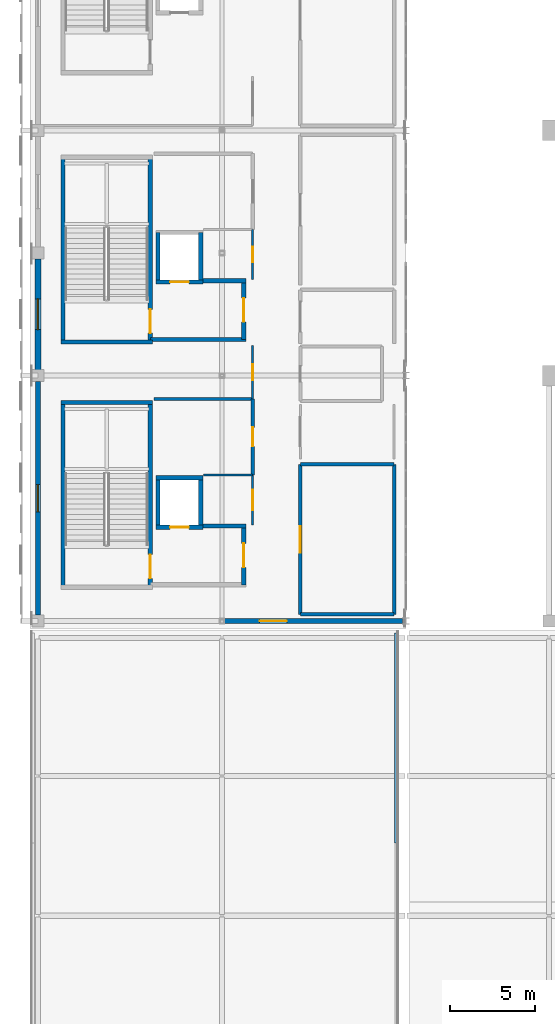
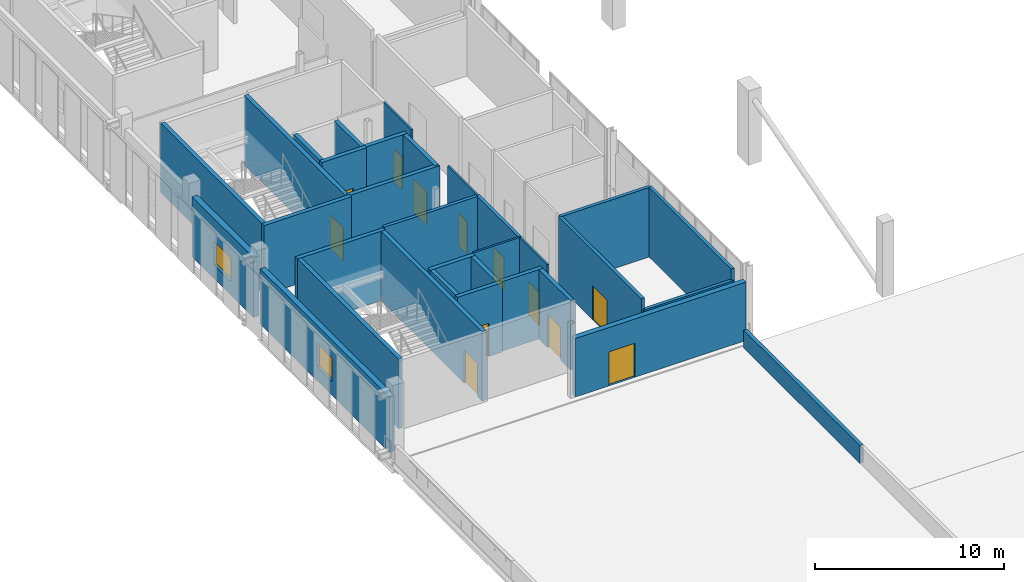
# One storey, part 31 of 51: 32 walls, 12 doors, 2 windows, 14 openings.
"""IFC4 building model written with IfcOpenShell, lengths in metres."""

from ifc_helpers import new_model, si_unit, direction, frame, frame_2d, origin, place, context, subcontext, project, spatial, rectangle, extrude, material, layer, layer_set, type_object, element, fill, save


model = new_model("IFC4")

# Units and contexts
model_context = context("Model", 3, precision=1e-05, world=origin(), true_north=direction((0.0, 1.0)))
body_context = subcontext(model_context, "Body", "Model", "MODEL_VIEW")
ifc_project = project(units=[si_unit("LENGTHUNIT", "METRE"), si_unit("AREAUNIT", "SQUARE_METRE"), si_unit("VOLUMEUNIT", "CUBIC_METRE"), si_unit("PLANEANGLEUNIT", "RADIAN"), si_unit("MASSUNIT", "GRAM", prefix="KILO")], contexts=[model_context])

# Site, building, storey
site_placement = place(None, origin())
site = spatial("IfcSite", under=ifc_project, at=site_placement, CompositionType="ELEMENT")
building_placement = place(site_placement, origin())
building = spatial("IfcBuilding", under=site, at=building_placement, Name="Koshinbarg Plaza Stadium", CompositionType="ELEMENT")
storey_placement = place(building_placement, frame((0.0, 0.0, 24.60009765625)))
storey = spatial("IfcBuildingStorey", under=building, at=storey_placement, Name="L05", CompositionType="ELEMENT", Elevation=24.60009765625)

# Walls
ifc_material_1 = material(Name="Concrete C40/50", Category="concrete")
ifc_layer_1 = layer(ifc_material_1, 0.25)
ifc_layer_set_1 = layer_set([ifc_layer_1], Name="Concrete C40/50")
wall_type_1 = type_object("IfcWallType", Name="WL-CORE-250", PredefinedType="SHEAR", material=ifc_layer_set_1)
wall_1_placement = place(storey_placement, frame((31.320068359375, 38.324951171875, 0.0), z_axis=(0.0, 0.0, 1.0), x_axis=(-1.0, 0.0, 0.0)))
element("IfcWall", 1, at=wall_1_placement, inside=storey, type_object=wall_type_1, Name="L05 core stair shear wall C01-far IWL-L05-0022", PredefinedType="SHEAR", context=body_context, shape_type="SweptSolid", body=[
    extrude(rectangle(XDim=5.3701171875, YDim=0.25, at=frame_2d((2.68505859375, 0.0))), origin(), (0.0, 0.0, 1.0), 4.5),
])
wall_2_placement = place(storey_placement, frame((26.074951171875, 27.47509765625, 0.0), z_axis=(0.0, 0.0, 1.0), x_axis=(0.0, 1.0, 0.0)))
element("IfcWall", 2, at=wall_2_placement, inside=storey, type_object=wall_type_1, Name="L05 core stair shear wall C01-left IWL-L05-0023", PredefinedType="SHEAR", context=body_context, shape_type="SweptSolid", body=[
    extrude(rectangle(XDim=10.849853515625, YDim=0.25, at=frame_2d((5.4248046875, 0.0))), origin(), (0.0, 0.0, 1.0), 4.5),
])

# Wall, opening, door
wall_3_placement = place(storey_placement, frame((31.195068359375, 27.47509765625, 0.0), z_axis=(0.0, 0.0, 1.0), x_axis=(0.0, 1.0, 0.0)))
wall_3 = element("IfcWall", 3, at=wall_3_placement, inside=storey, type_object=wall_type_1, Name="L05 core stair shear wall C01-right IWL-L05-0024", PredefinedType="SHEAR", context=body_context, shape_type="SweptSolid", body=[
    extrude(rectangle(XDim=10.849853515625, YDim=0.25, at=frame_2d((5.4248046875, 0.0))), origin(), (0.0, 0.0, 1.0), 4.5),
])
opening_1_placement = place(wall_3_placement, frame((0.52001953125, 0.0, 0.0)))
opening_1 = element("IfcOpeningElement", 4, at=opening_1_placement, cuts=wall_3, Name="Opening D-0066", PredefinedType="OPENING", context=body_context, shape_type="SweptSolid", body=[
    extrude(rectangle(XDim=1.39990234375, YDim=2.14990234375, at=frame_2d((0.699951171875, 1.074951171875))), frame((0.0, 0.135009765625, 0.0), z_axis=(0.0, -1.0, 0.0), x_axis=(1.0, 0.0, 0.0)), (0.0, 0.0, 1.0), 0.27001953125),
])
ifc_material_2 = material(Name="Painted galvanized steel fire door", Category="steel")
door_type_1 = type_object("IfcDoorType", Name="DR-STAIR-1400", OperationType="NOTDEFINED", PredefinedType="DOOR", material=ifc_material_2)
door_1_placement = place(opening_1_placement, origin())
door_1 = element("IfcDoor", 5, at=door_1_placement, inside=storey, type_object=door_type_1, Name="L05 exit stair door C01", OperationType="SINGLE_SWING_RIGHT", OverallHeight=2.14990234375, OverallWidth=1.39990234375, PredefinedType="DOOR", context=body_context, shape_type="SweptSolid", body=[
    extrude(rectangle(XDim=1.39990234375, YDim=2.14990234375, at=frame_2d((0.699951171875, 1.074951171875))), frame((0.0, 0.02490234375, 0.0), z_axis=(0.0, -1.0, 0.0), x_axis=(1.0, 0.0, 0.0)), (0.0, 0.0, 1.0), 0.050048828125),
])
fill(opening_1, door_1)

# Walls
wall_4_placement = place(storey_placement, frame((25.949951171875, 41.875, 0.0), z_axis=(0.0, 0.0, 1.0), x_axis=(1.0, 0.0, 0.0)))
element("IfcWall", 6, at=wall_4_placement, inside=storey, type_object=wall_type_1, Name="L05 core stair shear wall C02-near IWL-L05-0049", PredefinedType="SHEAR", context=body_context, shape_type="SweptSolid", body=[
    extrude(rectangle(XDim=5.3701171875, YDim=0.25, at=frame_2d((2.68505859375, 0.0))), origin(), (0.0, 0.0, 1.0), 4.5),
])
wall_5_placement = place(storey_placement, frame((26.074951171875, 41.875, 0.0), z_axis=(0.0, 0.0, 1.0), x_axis=(0.0, 1.0, 0.0)))
element("IfcWall", 7, at=wall_5_placement, inside=storey, type_object=wall_type_1, Name="L05 core stair shear wall C02-left IWL-L05-0051", PredefinedType="SHEAR", context=body_context, shape_type="SweptSolid", body=[
    extrude(rectangle(XDim=10.85009765625, YDim=0.25, at=frame_2d((5.425048828125, 0.0))), origin(), (0.0, 0.0, 1.0), 4.5),
])

# Wall, opening, door
wall_6_placement = place(storey_placement, frame((31.195068359375, 41.875, 0.0), z_axis=(0.0, 0.0, 1.0), x_axis=(0.0, 1.0, 0.0)))
wall_6 = element("IfcWall", 8, at=wall_6_placement, inside=storey, type_object=wall_type_1, Name="L05 core stair shear wall C02-right IWL-L05-0052", PredefinedType="SHEAR", context=body_context, shape_type="SweptSolid", body=[
    extrude(rectangle(XDim=10.85009765625, YDim=0.25, at=frame_2d((5.425048828125, 0.0))), origin(), (0.0, 0.0, 1.0), 4.5),
])
opening_2_placement = place(wall_6_placement, frame((0.52001953125, 0.0, 0.0)))
opening_2 = element("IfcOpeningElement", 9, at=opening_2_placement, cuts=wall_6, Name="Opening D-0073", PredefinedType="OPENING", context=body_context, shape_type="SweptSolid", body=[
    extrude(rectangle(XDim=1.39990234375, YDim=2.14990234375, at=frame_2d((0.699951171875, 1.074951171875))), frame((0.0, 0.135009765625, 0.0), z_axis=(0.0, -1.0, 0.0), x_axis=(1.0, 0.0, 0.0)), (0.0, 0.0, 1.0), 0.27001953125),
])
door_2_placement = place(opening_2_placement, origin())
door_2 = element("IfcDoor", 10, at=door_2_placement, inside=storey, type_object=door_type_1, Name="L05 exit stair door C02", OperationType="SINGLE_SWING_RIGHT", OverallHeight=2.14990234375, OverallWidth=1.39990234375, PredefinedType="DOOR", context=body_context, shape_type="SweptSolid", body=[
    extrude(rectangle(XDim=1.39990234375, YDim=2.14990234375, at=frame_2d((0.699951171875, 1.074951171875))), frame((0.0, 0.02490234375, 0.0), z_axis=(0.0, -1.0, 0.0), x_axis=(1.0, 0.0, 0.0)), (0.0, 0.0, 1.0), 0.050048828125),
])
fill(opening_2, door_2)

wall_7_placement = place(storey_placement, frame((31.52490234375, 31.0, 0.0), z_axis=(0.0, 0.0, 1.0), x_axis=(1.0, 0.0, 0.0)))
wall_7 = element("IfcWall", 11, at=wall_7_placement, inside=storey, type_object=wall_type_1, Name="L05 lift shaft shear wall FL01-S IWL-L05-0645", PredefinedType="SHEAR", context=body_context, shape_type="SweptSolid", body=[
    extrude(rectangle(XDim=2.75, YDim=0.25, at=frame_2d((1.375, 0.0))), origin(), (0.0, 0.0, 1.0), 4.5),
])
opening_3_placement = place(wall_7_placement, frame((0.824951171875, 0.0, 0.0)))
opening_3 = element("IfcOpeningElement", 12, at=opening_3_placement, cuts=wall_7, Name="Opening D-0225", PredefinedType="OPENING", context=body_context, shape_type="SweptSolid", body=[
    extrude(rectangle(XDim=1.10009765625, YDim=2.14990234375, at=frame_2d((0.550048828125, 1.074951171875))), frame((0.0, 0.135009765625, 0.0), z_axis=(0.0, -1.0, 0.0), x_axis=(1.0, 0.0, 0.0)), (0.0, 0.0, 1.0), 0.27001953125),
])
ifc_material_3 = material(Name="Brushed stainless steel sliding lift landing door", Category="steel")
door_type_2 = type_object("IfcDoorType", Name="DR-LIFT-1100", OperationType="NOTDEFINED", PredefinedType="DOOR", material=ifc_material_3)
door_3_placement = place(opening_3_placement, origin())
door_3 = element("IfcDoor", 13, at=door_3_placement, inside=storey, type_object=door_type_2, Name="L05 lift landing door FL01", OperationType="SLIDING_TO_RIGHT", OverallHeight=2.14990234375, OverallWidth=1.10009765625, PredefinedType="DOOR", context=body_context, shape_type="SweptSolid", body=[
    extrude(rectangle(XDim=1.10009765625, YDim=2.14990234375, at=frame_2d((0.550048828125, 1.074951171875))), frame((0.0, 0.02490234375, 0.0), z_axis=(0.0, -1.0, 0.0), x_axis=(1.0, 0.0, 0.0)), (0.0, 0.0, 1.0), 0.050048828125),
])
fill(opening_3, door_3)

# Walls
wall_8_placement = place(storey_placement, frame((34.27490234375, 33.89990234375, 0.0), z_axis=(0.0, 0.0, 1.0), x_axis=(-1.0, 0.0, 0.0)))
element("IfcWall", 14, at=wall_8_placement, inside=storey, type_object=wall_type_1, Name="L05 lift shaft shear wall FL01-N IWL-L05-0646", PredefinedType="SHEAR", context=body_context, shape_type="SweptSolid", body=[
    extrude(rectangle(XDim=2.75, YDim=0.25, at=frame_2d((1.375, 0.0))), origin(), (0.0, 0.0, 1.0), 4.5),
])
for number, where, z_axis, x_axis, name in (
    (15, (31.64990234375, 33.89990234375, 0.0), (0.0, 0.0, 1.0), (0.0, -1.0, 0.0), "L05 lift shaft shear wall FL01-W IWL-L05-0647"),
    (16, (34.14990234375, 31.0, 0.0), (0.0, 0.0, 1.0), (0.0, 1.0, 0.0), "L05 lift shaft shear wall FL01-E IWL-L05-0648"),
):
    element("IfcWall", number, at=place(storey_placement, frame(where, z_axis=z_axis, x_axis=x_axis)), inside=storey, type_object=wall_type_1, Name=name, PredefinedType="SHEAR", context=body_context, shape_type="SweptSolid", body=[
        extrude(rectangle(XDim=2.89990234375, YDim=0.25, at=frame_2d((1.449951171875, 0.0))), origin(), (0.0, 0.0, 1.0), 4.5),
    ])

# Wall, opening, door
wall_9_placement = place(storey_placement, frame((36.675048828125, 27.625, 0.0), z_axis=(0.0, 0.0, 1.0), x_axis=(0.0, 1.0, 0.0)))
wall_9 = element("IfcWall", 17, at=wall_9_placement, inside=storey, type_object=wall_type_1, Name="L05 firefighting lobby wall C01-E IWL-L05-0649", PredefinedType="SHEAR", context=body_context, shape_type="SweptSolid", body=[
    extrude(rectangle(XDim=3.449951171875, YDim=0.25, at=frame_2d((1.72509765625, 0.0))), origin(), (0.0, 0.0, 1.0), 4.5),
])
opening_4_placement = place(wall_9_placement, frame((1.02490234375, 0.0, 0.0)))
opening_4 = element("IfcOpeningElement", 18, at=opening_4_placement, cuts=wall_9, Name="Opening D-0226", PredefinedType="OPENING", context=body_context, shape_type="SweptSolid", body=[
    extrude(rectangle(XDim=1.39990234375, YDim=2.14990234375, at=frame_2d((0.699951171875, 1.074951171875))), frame((0.0, 0.135009765625, 0.0), z_axis=(0.0, -1.0, 0.0), x_axis=(1.0, 0.0, 0.0)), (0.0, 0.0, 1.0), 0.27001953125),
])
ifc_material_4 = material(Name="Smoke-sealed steel firefighting lobby door", Category="steel")
door_type_3 = type_object("IfcDoorType", Name="DR-FFLOB-1400", OperationType="NOTDEFINED", PredefinedType="DOOR", material=ifc_material_4)
door_4_placement = place(opening_4_placement, origin())
door_4 = element("IfcDoor", 19, at=door_4_placement, inside=storey, type_object=door_type_3, Name="L05 firefighting lobby fire door C01", OperationType="DOUBLE_DOOR_SINGLE_SWING", OverallHeight=2.14990234375, OverallWidth=1.39990234375, PredefinedType="DOOR", context=body_context, shape_type="SweptSolid", body=[
    extrude(rectangle(XDim=1.39990234375, YDim=2.14990234375, at=frame_2d((0.699951171875, 1.074951171875))), frame((0.0, 0.02490234375, 0.0), z_axis=(0.0, -1.0, 0.0), x_axis=(1.0, 0.0, 0.0)), (0.0, 0.0, 1.0), 0.050048828125),
])
fill(opening_4, door_4)

# Wall
wall_10_placement = place(storey_placement, frame((34.27490234375, 31.074951171875, 0.0), z_axis=(0.0, 0.0, 1.0), x_axis=(1.0, 0.0, 0.0)))
element("IfcWall", 20, at=wall_10_placement, inside=storey, type_object=wall_type_1, Name="L05 firefighting lobby wall C01-NE IWL-L05-0650", PredefinedType="SHEAR", context=body_context, shape_type="SweptSolid", body=[
    extrude(rectangle(XDim=2.525146484375, YDim=0.25, at=frame_2d((1.2626953125, 0.0))), origin(), (0.0, 0.0, 1.0), 4.5),
])

# Wall, opening, door
wall_11_placement = place(storey_placement, frame((31.52490234375, 45.39990234375, 0.0), z_axis=(0.0, 0.0, 1.0), x_axis=(1.0, 0.0, 0.0)))
wall_11 = element("IfcWall", 21, at=wall_11_placement, inside=storey, type_object=wall_type_1, Name="L05 lift shaft shear wall FL02-S IWL-L05-0694", PredefinedType="SHEAR", context=body_context, shape_type="SweptSolid", body=[
    extrude(rectangle(XDim=2.75, YDim=0.25, at=frame_2d((1.375, 0.0))), origin(), (0.0, 0.0, 1.0), 4.5),
])
opening_5_placement = place(wall_11_placement, frame((0.824951171875, 0.0, 0.0)))
opening_5 = element("IfcOpeningElement", 22, at=opening_5_placement, cuts=wall_11, Name="Opening D-0239", PredefinedType="OPENING", context=body_context, shape_type="SweptSolid", body=[
    extrude(rectangle(XDim=1.10009765625, YDim=2.14990234375, at=frame_2d((0.550048828125, 1.074951171875))), frame((0.0, 0.135009765625, 0.0), z_axis=(0.0, -1.0, 0.0), x_axis=(1.0, 0.0, 0.0)), (0.0, 0.0, 1.0), 0.27001953125),
])
door_5_placement = place(opening_5_placement, origin())
door_5 = element("IfcDoor", 23, at=door_5_placement, inside=storey, type_object=door_type_2, Name="L05 lift landing door FL02", OperationType="SLIDING_TO_LEFT", OverallHeight=2.14990234375, OverallWidth=1.10009765625, PredefinedType="DOOR", context=body_context, shape_type="SweptSolid", body=[
    extrude(rectangle(XDim=1.10009765625, YDim=2.14990234375, at=frame_2d((0.550048828125, 1.074951171875))), frame((0.0, 0.02490234375, 0.0), z_axis=(0.0, -1.0, 0.0), x_axis=(1.0, 0.0, 0.0)), (0.0, 0.0, 1.0), 0.050048828125),
])
fill(opening_5, door_5)

# Walls
for number, where, z_axis, x_axis, name in (
    (24, (31.64990234375, 48.300048828125, 0.0), (0.0, 0.0, 1.0), (0.0, -1.0, 0.0), "L05 lift shaft shear wall FL02-W IWL-L05-0696"),
    (25, (34.14990234375, 45.39990234375, 0.0), (0.0, 0.0, 1.0), (0.0, 1.0, 0.0), "L05 lift shaft shear wall FL02-E IWL-L05-0697"),
):
    element("IfcWall", number, at=place(storey_placement, frame(where, z_axis=z_axis, x_axis=x_axis)), inside=storey, type_object=wall_type_1, Name=name, PredefinedType="SHEAR", context=body_context, shape_type="SweptSolid", body=[
        extrude(rectangle(XDim=2.900146484375, YDim=0.25, at=frame_2d((1.4501953125, 0.0))), origin(), (0.0, 0.0, 1.0), 4.5),
    ])

# Wall, opening, door
wall_12_placement = place(storey_placement, frame((36.675048828125, 42.02490234375, 0.0), z_axis=(0.0, 0.0, 1.0), x_axis=(0.0, 1.0, 0.0)))
wall_12 = element("IfcWall", 26, at=wall_12_placement, inside=storey, type_object=wall_type_1, Name="L05 firefighting lobby wall C02-E IWL-L05-0698", PredefinedType="SHEAR", context=body_context, shape_type="SweptSolid", body=[
    extrude(rectangle(XDim=3.4501953125, YDim=0.25, at=frame_2d((1.72509765625, 0.0))), origin(), (0.0, 0.0, 1.0), 4.5),
])
opening_6_placement = place(wall_12_placement, frame((1.02490234375, 0.0, 0.0)))
opening_6 = element("IfcOpeningElement", 27, at=opening_6_placement, cuts=wall_12, Name="Opening D-0240", PredefinedType="OPENING", context=body_context, shape_type="SweptSolid", body=[
    extrude(rectangle(XDim=1.39990234375, YDim=2.14990234375, at=frame_2d((0.699951171875, 1.074951171875))), frame((0.0, 0.135009765625, 0.0), z_axis=(0.0, -1.0, 0.0), x_axis=(1.0, 0.0, 0.0)), (0.0, 0.0, 1.0), 0.27001953125),
])
door_6_placement = place(opening_6_placement, origin())
door_6 = element("IfcDoor", 28, at=door_6_placement, inside=storey, type_object=door_type_3, Name="L05 firefighting lobby fire door C02", OperationType="DOUBLE_DOOR_SINGLE_SWING", OverallHeight=2.14990234375, OverallWidth=1.39990234375, PredefinedType="DOOR", context=body_context, shape_type="SweptSolid", body=[
    extrude(rectangle(XDim=1.39990234375, YDim=2.14990234375, at=frame_2d((0.699951171875, 1.074951171875))), frame((0.0, 0.02490234375, 0.0), z_axis=(0.0, -1.0, 0.0), x_axis=(1.0, 0.0, 0.0)), (0.0, 0.0, 1.0), 0.050048828125),
])
fill(opening_6, door_6)

# Walls
wall_13_placement = place(storey_placement, frame((34.27490234375, 45.47509765625, 0.0), z_axis=(0.0, 0.0, 1.0), x_axis=(1.0, 0.0, 0.0)))
element("IfcWall", 29, at=wall_13_placement, inside=storey, type_object=wall_type_1, Name="L05 firefighting lobby wall C02-NE IWL-L05-0699", PredefinedType="SHEAR", context=body_context, shape_type="SweptSolid", body=[
    extrude(rectangle(XDim=2.525146484375, YDim=0.25, at=frame_2d((1.2626953125, 0.0))), origin(), (0.0, 0.0, 1.0), 4.5),
])
wall_14_placement = place(storey_placement, frame((31.199951171875, 42.02490234375, 0.0), z_axis=(0.0, 0.0, 1.0), x_axis=(1.0, 0.0, 0.0)))
element("IfcWall", 30, at=wall_14_placement, inside=storey, type_object=wall_type_1, Name="L05 firefighting lobby wall C02-S IWL-L05-0700", PredefinedType="SHEAR", context=body_context, shape_type="SweptSolid", body=[
    extrude(rectangle(XDim=5.60009765625, YDim=0.25, at=frame_2d((2.800048828125, 0.0))), origin(), (0.0, 0.0, 1.0), 4.5),
])

# Wall, opening, window
ifc_material_5 = material(Name="Ultramarine-blue pigmented mineral plaster facade wall", Category="masonry")
ifc_layer_2 = layer(ifc_material_5, 0.320068359375)
ifc_layer_set_2 = layer_set([ifc_layer_2], Name="Ultramarine-blue pigmented mineral plaster facade wall")
wall_type_2 = type_object("IfcWallType", Name="WL-EXT-320", PredefinedType="SOLIDWALL", material=ifc_layer_set_2)
wall_15_placement = place(storey_placement, frame((24.60009765625, 25.844970703125, 0.0), z_axis=(0.0, 0.0, 1.0), x_axis=(0.0, 1.0, 0.0)))
wall_15 = element("IfcWall", 31, at=wall_15_placement, inside=storey, type_object=wall_type_2, Name="L05 exterior envelope wall EWL-L05-0222", PredefinedType="SOLIDWALL", context=body_context, shape_type="SweptSolid", body=[
    extrude(rectangle(XDim=13.7099609375, YDim=0.320068359375, at=frame_2d((6.85498046875, 0.0))), origin(), (0.0, 0.0, 1.0), 3.579833984375),
])
opening_7_placement = place(wall_15_placement, frame((6.054931640625, 0.0, 0.89990234375)))
opening_7 = element("IfcOpeningElement", 32, at=opening_7_placement, cuts=wall_15, Name="Opening WN03", PredefinedType="OPENING", context=body_context, shape_type="SweptSolid", body=[
    extrude(rectangle(XDim=1.60009765625, YDim=1.5, at=frame_2d((0.800048828125, 0.75))), frame((0.0, 0.169921875, 0.0), z_axis=(0.0, -1.0, 0.0), x_axis=(1.0, 0.0, 0.0)), (0.0, 0.0, 1.0), 0.340087890625),
])
ifc_material_6 = material(Name="Solar-control double glazing in thermally broken aluminium frame", Category="aluminium")
window_type_1 = type_object("IfcWindowType", Name="WN-FAC-03", PartitioningType="DOUBLE_PANEL_VERTICAL", PredefinedType="WINDOW", material=ifc_material_6)
window_1_placement = place(opening_7_placement, origin())
window_1 = element("IfcWindow", 33, at=window_1_placement, inside=storey, type_object=window_type_1, Name="L05 facade window 0154", OverallHeight=1.5, OverallWidth=1.60009765625, PartitioningType="SINGLE_PANEL", PredefinedType="WINDOW", context=body_context, shape_type="SweptSolid", body=[
    extrude(rectangle(XDim=1.60009765625, YDim=1.5, at=frame_2d((0.800048828125, 0.75))), frame((0.0, 0.030029296875, 0.0), z_axis=(0.0, -1.0, 0.0), x_axis=(1.0, 0.0, 0.0)), (0.0, 0.0, 1.0), 0.06005859375),
])
fill(opening_7, window_1)

# Wall, opening, door
wall_16_placement = place(storey_placement, frame((46.007568359375, 25.5, 0.0), z_axis=(0.0, 0.0, 1.0), x_axis=(-1.0, 0.0, 0.0)))
wall_16 = element("IfcWall", 34, at=wall_16_placement, inside=storey, type_object=wall_type_2, Name="L05 exterior envelope wall EWL-L05-0246", PredefinedType="SOLIDWALL", context=body_context, shape_type="SweptSolid", body=[
    extrude(rectangle(XDim=10.462646484375, YDim=0.320068359375, at=frame_2d((5.2314453125, 0.0))), origin(), (0.0, 0.0, 1.0), 3.77978515625),
])
opening_8_placement = place(wall_16_placement, frame((6.800048828125, 0.0, 0.0)))
opening_8 = element("IfcOpeningElement", 35, at=opening_8_placement, cuts=wall_16, Name="Opening D-0059", PredefinedType="OPENING", context=body_context, shape_type="SweptSolid", body=[
    extrude(rectangle(XDim=1.60009765625, YDim=2.199951171875, at=frame_2d((0.800048828125, 1.10009765625))), frame((0.0, 0.169921875, 0.0), z_axis=(0.0, -1.0, 0.0), x_axis=(1.0, 0.0, 0.0)), (0.0, 0.0, 1.0), 0.340087890625),
])
ifc_material_7 = material(Name="Glazed aluminium terrace access door", Category="aluminium")
door_type_4 = type_object("IfcDoorType", Name="DR-TERR-1600", OperationType="NOTDEFINED", PredefinedType="DOOR", material=ifc_material_7)
door_7_placement = place(opening_8_placement, origin())
door_7 = element("IfcDoor", 36, at=door_7_placement, inside=storey, type_object=door_type_4, Name="L05 South planted roof garden terrace door", OperationType="DOUBLE_DOOR_SINGLE_SWING", OverallHeight=2.199951171875, OverallWidth=1.60009765625, PredefinedType="DOOR", context=body_context, shape_type="SweptSolid", body=[
    extrude(rectangle(XDim=1.60009765625, YDim=2.199951171875, at=frame_2d((0.800048828125, 1.10009765625))), frame((0.0, 0.02490234375, 0.0), z_axis=(0.0, -1.0, 0.0), x_axis=(1.0, 0.0, 0.0)), (0.0, 0.0, 1.0), 0.050048828125),
])
fill(opening_8, door_7)

# Wall, opening, window
ifc_material_8 = material(Name="Acoustic insulated masonry stadium wall", Category="masonry")
ifc_layer_3 = layer(ifc_material_8, 0.35009765625)
ifc_layer_set_3 = layer_set([ifc_layer_3], Name="Acoustic insulated masonry stadium wall")
wall_type_3 = type_object("IfcWallType", Name="WL-EXT-350", PredefinedType="SOLIDWALL", material=ifc_layer_set_3)
wall_17_placement = place(storey_placement, frame((24.60009765625, 40.2451171875, 0.0), z_axis=(0.0, 0.0, 1.0), x_axis=(0.0, 1.0, 0.0)))
wall_17 = element("IfcWall", 37, at=wall_17_placement, inside=storey, type_object=wall_type_3, Name="L05 exterior envelope wall EWL-L05-0223", PredefinedType="SOLIDWALL", context=body_context, shape_type="SweptSolid", body=[
    extrude(rectangle(XDim=6.509765625, YDim=0.35009765625, at=frame_2d((3.2548828125, 0.0))), origin(), (0.0, 0.0, 1.0), 3.8798828125),
])
opening_9_placement = place(wall_17_placement, frame((2.35498046875, 0.0, 0.89990234375)))
opening_9 = element("IfcOpeningElement", 38, at=opening_9_placement, cuts=wall_17, Name="Opening WN04", PredefinedType="OPENING", context=body_context, shape_type="SweptSolid", body=[
    extrude(rectangle(XDim=1.800048828125, YDim=1.5, at=frame_2d((0.89990234375, 0.75))), frame((0.0, 0.18505859375, 0.0), z_axis=(0.0, -1.0, 0.0), x_axis=(1.0, 0.0, 0.0)), (0.0, 0.0, 1.0), 0.3701171875),
])
window_type_2 = type_object("IfcWindowType", Name="WN-FAC-04", PartitioningType="DOUBLE_PANEL_VERTICAL", PredefinedType="WINDOW", material=ifc_material_6)
window_2_placement = place(opening_9_placement, origin())
window_2 = element("IfcWindow", 39, at=window_2_placement, inside=storey, type_object=window_type_2, Name="L05 facade window 0155", OverallHeight=1.5, OverallWidth=1.800048828125, PartitioningType="SINGLE_PANEL", PredefinedType="WINDOW", context=body_context, shape_type="SweptSolid", body=[
    extrude(rectangle(XDim=1.800048828125, YDim=1.5, at=frame_2d((0.89990234375, 0.75))), frame((0.0, 0.030029296875, 0.0), z_axis=(0.0, -1.0, 0.0), x_axis=(1.0, 0.0, 0.0)), (0.0, 0.0, 1.0), 0.06005859375),
])
fill(opening_9, window_2)

# Wall
ifc_material_9 = material(Name="Precast concrete C40/50", Category="concrete")
ifc_layer_4 = layer(ifc_material_9, 0.219970703125)
ifc_layer_set_4 = layer_set([ifc_layer_4], Name="Precast concrete C40/50")
wall_type_4 = type_object("IfcWallType", Name="WL-PAR-220", PredefinedType="PARAPET", material=ifc_layer_set_4)
wall_18_placement = place(storey_placement, frame((45.64990234375, 12.4775390625, 0.0), z_axis=(0.0, 0.0, 1.0), x_axis=(0.0, 1.0, 0.0)))
element("IfcWall", 40, at=wall_18_placement, inside=storey, type_object=wall_type_4, Name="L05 roof garden parapet 029", PredefinedType="PARAPET", context=body_context, shape_type="SweptSolid", body=[
    extrude(rectangle(XDim=12.327392578125, YDim=0.219970703125, at=frame_2d((6.16357421875, 0.0))), origin(), (0.0, 0.0, 1.0), 1.14990234375),
])

# Wall, opening, door
ifc_material_10 = material(Name="Gypsum board metal-stud acoustic partition")
ifc_layer_5 = layer(ifc_material_10, 0.1201171875)
ifc_layer_set_5 = layer_set([ifc_layer_5], Name="Gypsum board metal-stud acoustic partition")
wall_type_5 = type_object("IfcWallType", Name="WL-PART-120", PredefinedType="PARTITIONING", material=ifc_layer_set_5)
wall_19_placement = place(storey_placement, frame((37.199951171875, 38.530029296875, 0.0), z_axis=(0.0, 0.0, 1.0), x_axis=(0.0, 1.0, 0.0)))
wall_19 = element("IfcWall", 41, at=wall_19_placement, inside=storey, type_object=wall_type_5, Name="L05 interior partition L05-32-east IWL-L05-2258", PredefinedType="PARTITIONING", context=body_context, shape_type="SweptSolid", body=[
    extrude(rectangle(XDim=3.139892578125, YDim=0.1201171875, at=frame_2d((1.56982421875, 0.0))), origin(), (0.0, 0.0, 1.0), 4.5),
])
opening_10_placement = place(wall_19_placement, frame((1.110107421875, 0.0, 0.0)))
opening_10 = element("IfcOpeningElement", 42, at=opening_10_placement, cuts=wall_19, Name="Opening D-0779", PredefinedType="OPENING", context=body_context, shape_type="SweptSolid", body=[
    extrude(rectangle(XDim=0.919921875, YDim=2.10009765625, at=frame_2d((0.4599609375, 1.050048828125))), frame((0.0, 0.070068359375, 0.0), z_axis=(0.0, -1.0, 0.0), x_axis=(1.0, 0.0, 0.0)), (0.0, 0.0, 1.0), 0.14013671875),
])
ifc_material_11 = material(Name="Solid-core oak veneer acoustic door")
door_type_5 = type_object("IfcDoorType", Name="DR-INT-0920x2100", OperationType="NOTDEFINED", PredefinedType="DOOR", material=ifc_material_11)
door_8_placement = place(opening_10_placement, origin())
door_8 = element("IfcDoor", 43, at=door_8_placement, inside=storey, type_object=door_type_5, Name="L05 Belvedere Dining Hall door D-0779", OperationType="SINGLE_SWING_LEFT", OverallHeight=2.10009765625, OverallWidth=0.919921875, PredefinedType="DOOR", context=body_context, shape_type="SweptSolid", body=[
    extrude(rectangle(XDim=0.919921875, YDim=2.10009765625, at=frame_2d((0.4599609375, 1.050048828125))), frame((0.0, 0.02490234375, 0.0), z_axis=(0.0, -1.0, 0.0), x_axis=(1.0, 0.0, 0.0)), (0.0, 0.0, 1.0), 0.050048828125),
])
fill(opening_10, door_8)

wall_20_placement = place(storey_placement, frame((37.199951171875, 31.1298828125, 0.0), z_axis=(0.0, 0.0, 1.0), x_axis=(0.0, 1.0, 0.0)))
wall_20 = element("IfcWall", 44, at=wall_20_placement, inside=storey, type_object=wall_type_5, Name="L05 interior partition L05-34-east IWL-L05-2261", PredefinedType="PARTITIONING", context=body_context, shape_type="SweptSolid", body=[
    extrude(rectangle(XDim=2.9501953125, YDim=0.1201171875, at=frame_2d((1.47509765625, 0.0))), origin(), (0.0, 0.0, 1.0), 4.5),
])
opening_11_placement = place(wall_20_placement, frame((0.875, 0.0, 0.0)))
opening_11 = element("IfcOpeningElement", 45, at=opening_11_placement, cuts=wall_20, Name="Opening D-0781", PredefinedType="OPENING", context=body_context, shape_type="SweptSolid", body=[
    extrude(rectangle(XDim=1.199951171875, YDim=2.14990234375, at=frame_2d((0.60009765625, 1.074951171875))), frame((0.0, 0.070068359375, 0.0), z_axis=(0.0, -1.0, 0.0), x_axis=(1.0, 0.0, 0.0)), (0.0, 0.0, 1.0), 0.14013671875),
])
ifc_material_12 = material(Name="Solid-core hardwood leaf in painted steel frame", Category="steel")
door_type_6 = type_object("IfcDoorType", Name="DR-INT-1200x2150", OperationType="NOTDEFINED", PredefinedType="DOOR", material=ifc_material_12)
door_9_placement = place(opening_11_placement, origin())
door_9 = element("IfcDoor", 46, at=door_9_placement, inside=storey, type_object=door_type_6, Name="L05 Sports Science Salon door D-0781", OperationType="SINGLE_SWING_LEFT", OverallHeight=2.14990234375, OverallWidth=1.199951171875, PredefinedType="DOOR", context=body_context, shape_type="SweptSolid", body=[
    extrude(rectangle(XDim=1.199951171875, YDim=2.14990234375, at=frame_2d((0.60009765625, 1.074951171875))), frame((0.0, 0.02490234375, 0.0), z_axis=(0.0, -1.0, 0.0), x_axis=(1.0, 0.0, 0.0)), (0.0, 0.0, 1.0), 0.050048828125),
])
fill(opening_11, door_9)

# Wall
wall_21_placement = place(storey_placement, frame((37.199951171875, 34.080078125, 0.0), z_axis=(0.0, 0.0, 1.0), x_axis=(-1.0, 0.0, 0.0)))
element("IfcWall", 47, at=wall_21_placement, inside=storey, type_object=wall_type_5, Name="L05 interior partition L05-34-north IWL-L05-2262", PredefinedType="PARTITIONING", context=body_context, shape_type="SweptSolid", body=[
    extrude(rectangle(XDim=2.869873046875, YDim=0.1201171875, at=frame_2d((1.43505859375, 0.0))), origin(), (0.0, 0.0, 1.0), 4.5),
])

# Wall, opening, door
wall_22_placement = place(storey_placement, frame((37.199951171875, 45.530029296875, 0.0), z_axis=(0.0, 0.0, 1.0), x_axis=(0.0, 1.0, 0.0)))
wall_22 = element("IfcWall", 48, at=wall_22_placement, inside=storey, type_object=wall_type_5, Name="L05 interior partition L05-36-east IWL-L05-2265", PredefinedType="PARTITIONING", context=body_context, shape_type="SweptSolid", body=[
    extrude(rectangle(XDim=2.949951171875, YDim=0.1201171875, at=frame_2d((1.47509765625, 0.0))), origin(), (0.0, 0.0, 1.0), 4.5),
])
opening_12_placement = place(wall_22_placement, frame((1.014892578125, 0.0, 0.0)))
opening_12 = element("IfcOpeningElement", 49, at=opening_12_placement, cuts=wall_22, Name="Opening D-0783", PredefinedType="OPENING", context=body_context, shape_type="SweptSolid", body=[
    extrude(rectangle(XDim=0.919921875, YDim=2.10009765625, at=frame_2d((0.4599609375, 1.050048828125))), frame((0.0, 0.070068359375, 0.0), z_axis=(0.0, -1.0, 0.0), x_axis=(1.0, 0.0, 0.0)), (0.0, 0.0, 1.0), 0.14013671875),
])
door_10_placement = place(opening_12_placement, origin())
door_10 = element("IfcDoor", 50, at=door_10_placement, inside=storey, type_object=door_type_5, Name="L05 Sports Science Salon door D-0783", OperationType="SINGLE_SWING_LEFT", OverallHeight=2.10009765625, OverallWidth=0.919921875, PredefinedType="DOOR", context=body_context, shape_type="SweptSolid", body=[
    extrude(rectangle(XDim=0.919921875, YDim=2.10009765625, at=frame_2d((0.4599609375, 1.050048828125))), frame((0.0, 0.02490234375, 0.0), z_axis=(0.0, -1.0, 0.0), x_axis=(1.0, 0.0, 0.0)), (0.0, 0.0, 1.0), 0.050048828125),
])
fill(opening_12, door_10)

ifc_material_13 = material(Name="Autoclaved aerated blockwork fire partition", Category="masonry")
ifc_layer_6 = layer(ifc_material_13, 0.199951171875)
ifc_layer_set_6 = layer_set([ifc_layer_6], Name="Autoclaved aerated blockwork fire partition")
wall_type_6 = type_object("IfcWallType", Name="WL-PART-200", PredefinedType="PARTITIONING", material=ifc_layer_set_6)
wall_23_placement = place(storey_placement, frame((37.199951171875, 34.080078125, 0.0), z_axis=(0.0, 0.0, 1.0), x_axis=(0.0, 1.0, 0.0)))
wall_23 = element("IfcWall", 51, at=wall_23_placement, inside=storey, type_object=wall_type_6, Name="L05 interior partition L05-33-east IWL-L05-2259", PredefinedType="PARTITIONING", context=body_context, shape_type="SweptSolid", body=[
    extrude(rectangle(XDim=4.449951171875, YDim=0.199951171875, at=frame_2d((2.22509765625, 0.0))), origin(), (0.0, 0.0, 1.0), 4.5),
])
opening_13_placement = place(wall_23_placement, frame((1.6650390625, 0.0, 0.0)))
opening_13 = element("IfcOpeningElement", 52, at=opening_13_placement, cuts=wall_23, Name="Opening D-0780", PredefinedType="OPENING", context=body_context, shape_type="SweptSolid", body=[
    extrude(rectangle(XDim=1.1201171875, YDim=2.14990234375, at=frame_2d((0.56005859375, 1.074951171875))), frame((0.0, 0.10986328125, 0.0), z_axis=(0.0, -1.0, 0.0), x_axis=(1.0, 0.0, 0.0)), (0.0, 0.0, 1.0), 0.219970703125),
])
ifc_material_14 = material(Name="Acoustic timber broadcast studio door", Category="wood")
door_type_7 = type_object("IfcDoorType", Name="DR-INT-1120x2150", OperationType="NOTDEFINED", PredefinedType="DOOR", material=ifc_material_14)
door_11_placement = place(opening_13_placement, origin())
door_11 = element("IfcDoor", 53, at=door_11_placement, inside=storey, type_object=door_type_7, Name="L05 Stadium Operations Control door D-0780", OperationType="SINGLE_SWING_RIGHT", OverallHeight=2.14990234375, OverallWidth=1.1201171875, PredefinedType="DOOR", context=body_context, shape_type="SweptSolid", body=[
    extrude(rectangle(XDim=1.1201171875, YDim=2.14990234375, at=frame_2d((0.56005859375, 1.074951171875))), frame((0.0, 0.02490234375, 0.0), z_axis=(0.0, -1.0, 0.0), x_axis=(1.0, 0.0, 0.0)), (0.0, 0.0, 1.0), 0.050048828125),
])
fill(opening_13, door_11)

# Walls
wall_24_placement = place(storey_placement, frame((37.199951171875, 38.530029296875, 0.0), z_axis=(0.0, 0.0, 1.0), x_axis=(-1.0, 0.0, 0.0)))
element("IfcWall", 54, at=wall_24_placement, inside=storey, type_object=wall_type_6, Name="L05 interior partition L05-33-north IWL-L05-2260", PredefinedType="PARTITIONING", context=body_context, shape_type="SweptSolid", body=[
    extrude(rectangle(XDim=5.800048828125, YDim=0.199951171875, at=frame_2d((2.89990234375, 0.0))), origin(), (0.0, 0.0, 1.0), 4.5),
])
wall_25_placement = place(storey_placement, frame((40.0, 25.89501953125, 0.0), z_axis=(0.0, 0.0, 1.0), x_axis=(1.0, 0.0, 0.0)))
element("IfcWall", 55, at=wall_25_placement, inside=storey, type_object=wall_type_6, Name="L05 interior partition L05-37-south IWL-L05-2267", PredefinedType="PARTITIONING", context=body_context, shape_type="SweptSolid", body=[
    extrude(rectangle(XDim=5.5, YDim=0.199951171875, at=frame_2d((2.75, 0.0))), origin(), (0.0, 0.0, 1.0), 3.77978515625),
])
wall_26_placement = place(storey_placement, frame((45.5, 25.89501953125, 0.0), z_axis=(0.0, 0.0, 1.0), x_axis=(0.0, 1.0, 0.0)))
element("IfcWall", 56, at=wall_26_placement, inside=storey, type_object=wall_type_6, Name="L05 interior partition L05-37-east IWL-L05-2268", PredefinedType="PARTITIONING", context=body_context, shape_type="SweptSolid", body=[
    extrude(rectangle(XDim=8.799072265625, YDim=0.199951171875, at=frame_2d((4.3994140625, 0.0))), origin(), (0.0, 0.0, 1.0), 4.5),
])
wall_27_placement = place(storey_placement, frame((45.5, 34.694091796875, 0.0), z_axis=(0.0, 0.0, 1.0), x_axis=(-1.0, 0.0, 0.0)))
element("IfcWall", 57, at=wall_27_placement, inside=storey, type_object=wall_type_6, Name="L05 interior partition L05-37-north IWL-L05-2269", PredefinedType="PARTITIONING", context=body_context, shape_type="SweptSolid", body=[
    extrude(rectangle(XDim=5.5, YDim=0.199951171875, at=frame_2d((2.75, 0.0))), origin(), (0.0, 0.0, 1.0), 4.5),
])

# Wall, opening, door
wall_28_placement = place(storey_placement, frame((40.0, 34.694091796875, 0.0), z_axis=(0.0, 0.0, 1.0), x_axis=(0.0, -1.0, 0.0)))
wall_28 = element("IfcWall", 58, at=wall_28_placement, inside=storey, type_object=wall_type_6, Name="L05 interior partition L05-37-west IWL-L05-2270", PredefinedType="PARTITIONING", context=body_context, shape_type="SweptSolid", body=[
    extrude(rectangle(XDim=8.799072265625, YDim=0.199951171875, at=frame_2d((4.3994140625, 0.0))), origin(), (0.0, 0.0, 1.0), 4.5),
])
opening_14_placement = place(wall_28_placement, frame((3.62451171875, 0.0, 0.0)))
opening_14 = element("IfcOpeningElement", 59, at=opening_14_placement, cuts=wall_28, Name="Opening D-0784", PredefinedType="OPENING", context=body_context, shape_type="SweptSolid", body=[
    extrude(rectangle(XDim=1.550048828125, YDim=2.199951171875, at=frame_2d((0.77490234375, 1.10009765625))), frame((0.0, 0.10986328125, 0.0), z_axis=(0.0, -1.0, 0.0), x_axis=(1.0, 0.0, 0.0)), (0.0, 0.0, 1.0), 0.219970703125),
])
ifc_material_15 = material(Name="Toughened laminated glass in aluminium frame", Category="aluminium")
door_type_8 = type_object("IfcDoorType", Name="DR-INT-1550x2200", OperationType="NOTDEFINED", PredefinedType="DOOR", material=ifc_material_15)
door_12_placement = place(opening_14_placement, origin())
door_12 = element("IfcDoor", 60, at=door_12_placement, inside=storey, type_object=door_type_8, Name="L05 Stadium Operations Control door D-0784", OperationType="DOUBLE_DOOR_SINGLE_SWING", OverallHeight=2.199951171875, OverallWidth=1.550048828125, PredefinedType="DOOR", context=body_context, shape_type="SweptSolid", body=[
    extrude(rectangle(XDim=1.550048828125, YDim=2.199951171875, at=frame_2d((0.77490234375, 1.10009765625))), frame((0.0, 0.02490234375, 0.0), z_axis=(0.0, -1.0, 0.0), x_axis=(1.0, 0.0, 0.0)), (0.0, 0.0, 1.0), 0.050048828125),
])
fill(opening_14, door_12)

save(model, "model.ifc")
